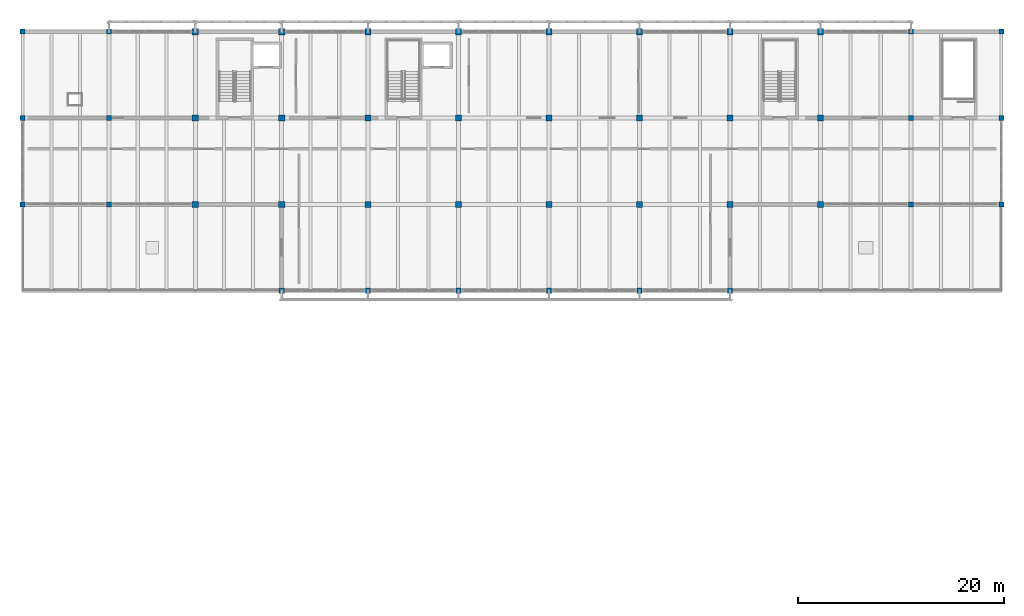
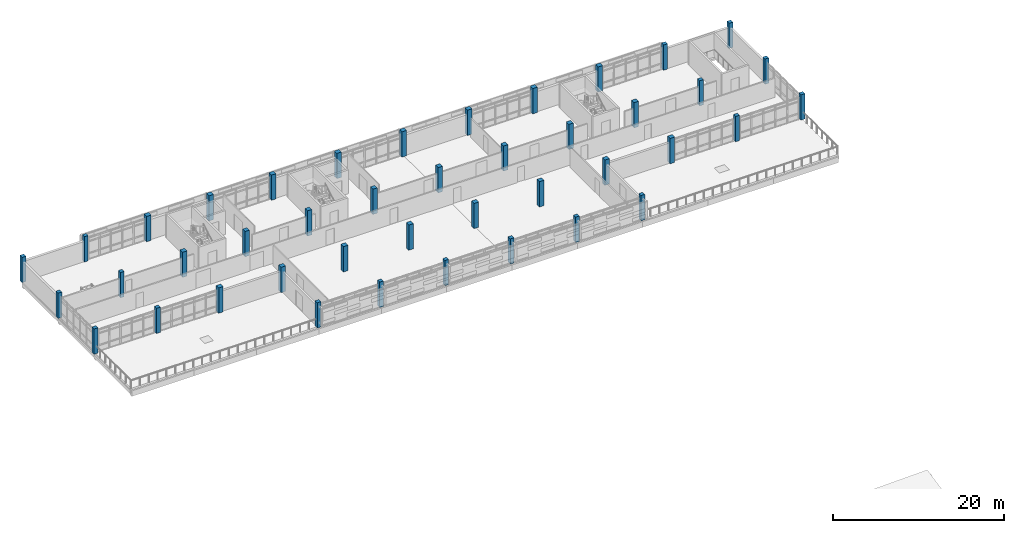
# One storey, part 4 of 50: 42 columns.
"""IFC4 building model written with IfcOpenShell, lengths in metres."""

from ifc_helpers import new_model, si_unit, direction, frame, origin, origin_2d, place, context, subcontext, project, spatial, rectangle, extrude, material, material_profile, profile_set, type_object, element, save


model = new_model("IFC4")

# Units and contexts
model_context = context("Model", 3, precision=1e-05, world=origin(), true_north=direction((0.0, 1.0)))
body_context = subcontext(model_context, "Body", "Model", "MODEL_VIEW")
ifc_project = project(units=[si_unit("LENGTHUNIT", "METRE"), si_unit("AREAUNIT", "SQUARE_METRE"), si_unit("VOLUMEUNIT", "CUBIC_METRE"), si_unit("PLANEANGLEUNIT", "RADIAN"), si_unit("MASSUNIT", "GRAM", prefix="KILO")], contexts=[model_context])

# Site, building, storey
site_placement = place(None, origin())
site = spatial("IfcSite", under=ifc_project, at=site_placement, CompositionType="ELEMENT")
building_placement = place(site_placement, origin())
building = spatial("IfcBuilding", under=site, at=building_placement, Name="Cinderway Yard Community Centre", CompositionType="ELEMENT")
storey_placement = place(building_placement, frame((0.0, 0.0, 12.89990234375)))
storey = spatial("IfcBuildingStorey", under=building, at=storey_placement, Name="L03", CompositionType="ELEMENT", Elevation=12.89990234375)

# Columns
ifc_material = material(Name="Concrete C40/50", Category="concrete")
ifc_material_profile_1 = material_profile(ifc_material, rectangle(XDim=0.5, YDim=0.5, at=origin_2d()), Name="Concrete C40/50")
ifc_profile_set_1 = profile_set([ifc_material_profile_1], Name="Concrete C40/50")
column_type_1 = type_object("IfcColumnType", Name="STR-COL-RC500", PredefinedType="COLUMN", material=ifc_profile_set_1)
for number, where, z_axis, x_axis, name in (
    (1, (41.60009765625, 98.39990234375, 0.0), (0.0, 0.0, 1.0), (1.0, 0.0, 0.0), "Column V4-C-01-2 L03"),
    (2, (41.60009765625, 106.800048828125, 0.0), (0.0, 0.0, 1.0), (1.0, 0.0, 0.0), "Column V4-C-01-3 L03"),
    (3, (41.60009765625, 115.199951171875, 0.0), (0.0, 0.0, 1.0), (1.0, 0.0, 0.0), "Column V4-C-01-4 L03"),
    (4, (50.0, 98.39990234375, 0.0), (0.0, 0.0, 1.0), (1.0, 0.0, 0.0), "Column V4-C-02-2 L03"),
    (5, (50.0, 106.800048828125, 0.0), (0.0, 0.0, 1.0), (1.0, 0.0, 0.0), "Column V4-C-02-3 L03"),
    (6, (50.0, 115.199951171875, 0.0), (0.0, 0.0, 1.0), (1.0, 0.0, 0.0), "Column V4-C-02-4 L03"),
    (7, (66.800048828125, 90.0, 0.0), (0.0, 0.0, 1.0), (1.0, 0.0, 0.0), "Column V4-C-04-1 L03"),
    (8, (75.199951171875, 90.0, 0.0), (0.0, 0.0, 1.0), (1.0, 0.0, 0.0), "Column V4-C-05-1 L03"),
    (9, (84.0, 90.0, 0.0), (0.0, 0.0, 1.0), (1.0, 0.0, 0.0), "Column V4-C-06-1 L03"),
    (10, (92.800048828125, 90.0, 0.0), (0.0, 0.0, 1.0), (1.0, 0.0, 0.0), "Column V4-C-07-1 L03"),
    (11, (101.60009765625, 90.0, 0.0), (0.0, 0.0, 1.0), (1.0, 0.0, 0.0), "Column V4-C-08-1 L03"),
    (12, (110.39990234375, 90.0, 0.0), (0.0, 0.0, 1.0), (1.0, 0.0, 0.0), "Column V4-C-09-1 L03"),
    (13, (128.0, 98.39990234375, 0.0), (0.0, 0.0, 1.0), (1.0, 0.0, 0.0), "Column V4-C-11-2 L03"),
    (14, (128.0, 106.800048828125, 0.0), (0.0, 0.0, 1.0), (1.0, 0.0, 0.0), "Column V4-C-11-3 L03"),
    (15, (128.0, 115.199951171875, 0.0), (0.0, 0.0, 1.0), (1.0, 0.0, 0.0), "Column V4-C-11-4 L03"),
    (16, (136.800048828125, 98.39990234375, 0.0), (0.0, 0.0, 1.0), (1.0, 0.0, 0.0), "Column V4-C-12-2 L03"),
    (17, (136.800048828125, 106.800048828125, 0.0), (0.0, 0.0, 1.0), (1.0, 0.0, 0.0), "Column V4-C-12-3 L03"),
    (18, (136.800048828125, 115.199951171875, 0.0), (0.0, 0.0, 1.0), (1.0, 0.0, 0.0), "Column V4-C-12-4 L03"),
):
    element("IfcColumn", number, at=place(storey_placement, frame(where, z_axis=z_axis, x_axis=x_axis)), inside=storey, type_object=column_type_1, Name=name, PredefinedType="COLUMN", context=body_context, shape_type="SweptSolid", body=[
        extrude(rectangle(XDim=0.5, YDim=0.5, at=origin_2d()), origin(), (0.0, 0.0, 1.0), 3.60009765625),
    ])
ifc_material_profile_2 = material_profile(ifc_material, rectangle(XDim=0.60009765625, YDim=0.60009765625, at=origin_2d()), Name="Concrete C40/50")
ifc_profile_set_2 = profile_set([ifc_material_profile_2], Name="Concrete C40/50")
column_type_2 = type_object("IfcColumnType", Name="STR-COL-RC600", PredefinedType="COLUMN", material=ifc_profile_set_2)
for number, where, z_axis, x_axis, name in (
    (19, (58.39990234375, 98.39990234375, 0.0), (0.0, 0.0, 1.0), (1.0, 0.0, 0.0), "Column V4-C-03-2 L03"),
    (20, (58.39990234375, 106.800048828125, 0.0), (0.0, 0.0, 1.0), (1.0, 0.0, 0.0), "Column V4-C-03-3 L03"),
    (21, (58.39990234375, 115.199951171875, 0.0), (0.0, 0.0, 1.0), (1.0, 0.0, 0.0), "Column V4-C-03-4 L03"),
    (22, (66.800048828125, 98.39990234375, 0.0), (0.0, 0.0, 1.0), (1.0, 0.0, 0.0), "Column V4-C-04-2 L03"),
    (23, (66.800048828125, 106.800048828125, 0.0), (0.0, 0.0, 1.0), (1.0, 0.0, 0.0), "Column V4-C-04-3 L03"),
    (24, (66.800048828125, 115.199951171875, 0.0), (0.0, 0.0, 1.0), (1.0, 0.0, 0.0), "Column V4-C-04-4 L03"),
    (25, (75.199951171875, 98.39990234375, 0.0), (0.0, 0.0, 1.0), (1.0, 0.0, 0.0), "Column V4-C-05-2 L03"),
    (26, (75.199951171875, 106.800048828125, 0.0), (0.0, 0.0, 1.0), (1.0, 0.0, 0.0), "Column V4-C-05-3 L03"),
    (27, (75.199951171875, 115.199951171875, 0.0), (0.0, 0.0, 1.0), (1.0, 0.0, 0.0), "Column V4-C-05-4 L03"),
    (28, (84.0, 98.39990234375, 0.0), (0.0, 0.0, 1.0), (1.0, 0.0, 0.0), "Column V4-C-06-2 L03"),
    (29, (84.0, 106.800048828125, 0.0), (0.0, 0.0, 1.0), (1.0, 0.0, 0.0), "Column V4-C-06-3 L03"),
    (30, (84.0, 115.199951171875, 0.0), (0.0, 0.0, 1.0), (1.0, 0.0, 0.0), "Column V4-C-06-4 L03"),
    (31, (92.800048828125, 98.39990234375, 0.0), (0.0, 0.0, 1.0), (1.0, 0.0, 0.0), "Column V4-C-07-2 L03"),
    (32, (92.800048828125, 106.800048828125, 0.0), (0.0, 0.0, 1.0), (1.0, 0.0, 0.0), "Column V4-C-07-3 L03"),
    (33, (92.800048828125, 115.199951171875, 0.0), (0.0, 0.0, 1.0), (1.0, 0.0, 0.0), "Column V4-C-07-4 L03"),
    (34, (101.60009765625, 98.39990234375, 0.0), (0.0, 0.0, 1.0), (1.0, 0.0, 0.0), "Column V4-C-08-2 L03"),
    (35, (101.60009765625, 106.800048828125, 0.0), (0.0, 0.0, 1.0), (1.0, 0.0, 0.0), "Column V4-C-08-3 L03"),
    (36, (101.60009765625, 115.199951171875, 0.0), (0.0, 0.0, 1.0), (1.0, 0.0, 0.0), "Column V4-C-08-4 L03"),
    (37, (110.39990234375, 98.39990234375, 0.0), (0.0, 0.0, 1.0), (1.0, 0.0, 0.0), "Column V4-C-09-2 L03"),
    (38, (110.39990234375, 106.800048828125, 0.0), (0.0, 0.0, 1.0), (1.0, 0.0, 0.0), "Column V4-C-09-3 L03"),
    (39, (110.39990234375, 115.199951171875, 0.0), (0.0, 0.0, 1.0), (1.0, 0.0, 0.0), "Column V4-C-09-4 L03"),
    (40, (119.199951171875, 98.39990234375, 0.0), (0.0, 0.0, 1.0), (1.0, 0.0, 0.0), "Column V4-C-10-2 L03"),
    (41, (119.199951171875, 106.800048828125, 0.0), (0.0, 0.0, 1.0), (1.0, 0.0, 0.0), "Column V4-C-10-3 L03"),
    (42, (119.199951171875, 115.199951171875, 0.0), (0.0, 0.0, 1.0), (1.0, 0.0, 0.0), "Column V4-C-10-4 L03"),
):
    element("IfcColumn", number, at=place(storey_placement, frame(where, z_axis=z_axis, x_axis=x_axis)), inside=storey, type_object=column_type_2, Name=name, PredefinedType="COLUMN", context=body_context, shape_type="SweptSolid", body=[
        extrude(rectangle(XDim=0.60009765625, YDim=0.60009765625, at=origin_2d()), origin(), (0.0, 0.0, 1.0), 3.60009765625),
    ])

save(model, "model.ifc")
